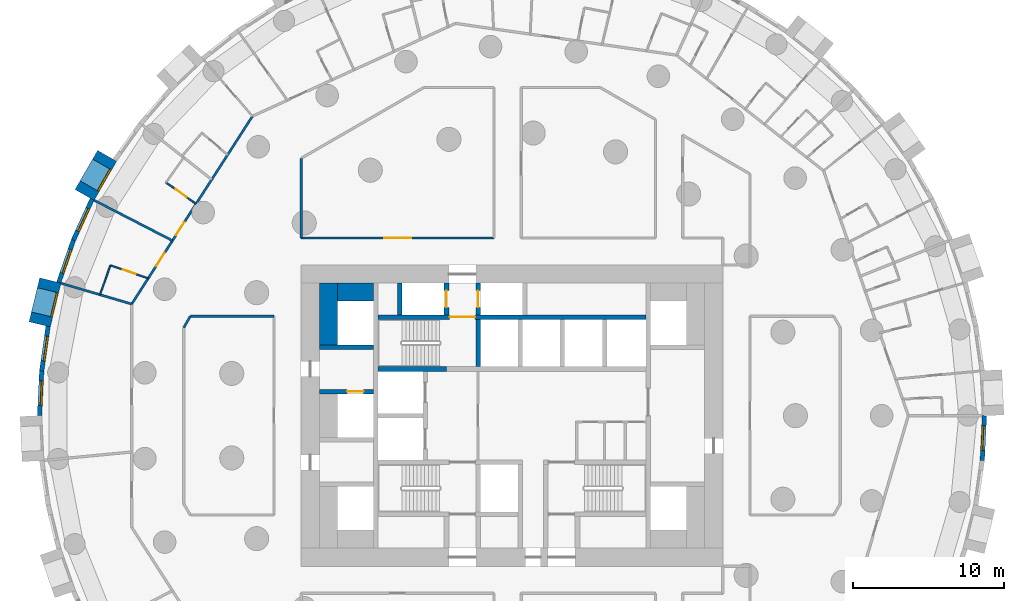
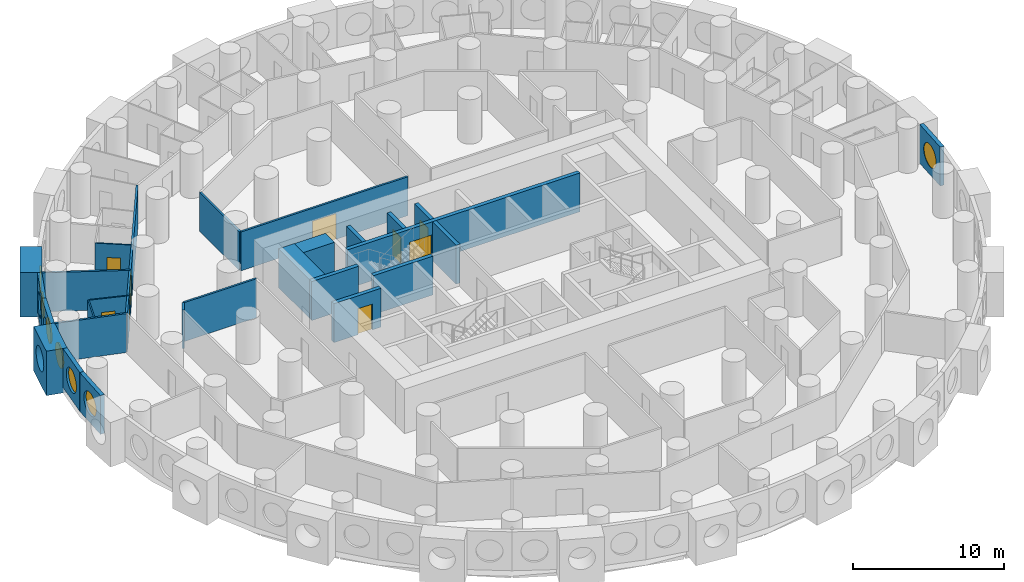
# One storey, part 6 of 12: 27 walls, 9 doors, 7 windows, 16 openings.
"""IFC4 building model written with IfcOpenShell, lengths in metres."""

from ifc_helpers import new_model, si_unit, direction, frame, frame_2d, origin, origin_2d, place, context, subcontext, project, spatial, rectangle, circle, extrude, material, layer, layer_set, type_object, element, fill, save


model = new_model("IFC4")

# Units and contexts
model_context = context("Model", 3, precision=1e-05, world=origin(), true_north=direction((0.0, 1.0)))
body_context = subcontext(model_context, "Body", "Model", "MODEL_VIEW")
ifc_project = project(units=[si_unit("LENGTHUNIT", "METRE"), si_unit("AREAUNIT", "SQUARE_METRE"), si_unit("VOLUMEUNIT", "CUBIC_METRE"), si_unit("PLANEANGLEUNIT", "RADIAN"), si_unit("MASSUNIT", "GRAM", prefix="KILO")], contexts=[model_context])

# Site, building, storey
site_placement = place(None, origin())
site = spatial("IfcSite", under=ifc_project, at=site_placement, CompositionType="ELEMENT")
building_placement = place(site_placement, origin())
building = spatial("IfcBuilding", under=site, at=building_placement, Name="Tracery Tower", CompositionType="ELEMENT")
storey_placement = place(building_placement, frame((0.0, 0.0, 39.0)))
storey = spatial("IfcBuildingStorey", under=building, at=storey_placement, Name="L08", CompositionType="ELEMENT", Elevation=39.0)

# Walls
ifc_material_1 = material(Name="Concrete C60/75", Category="concrete")
ifc_layer_1 = layer(ifc_material_1, 1.199951171875)
ifc_layer_set_1 = layer_set([ifc_layer_1], Name="Core strip wall 1200 C60")
wall_type_1 = type_object("IfcWallType", Name="Core strip wall 1200 C60", PredefinedType="SOLIDWALL", material=ifc_layer_set_1)
wall_1_placement = place(storey_placement, frame((-12.199951171875, 4.699951171875, 0.0), z_axis=(0.0, 0.0, 1.0), x_axis=(0.0, 1.0, 0.0)))
element("IfcWall", 1, at=wall_1_placement, inside=storey, type_object=wall_type_1, Name="L08 wing strip -1 4.55", PredefinedType="SOLIDWALL", context=body_context, shape_type="SweptSolid", body=[
    extrude(rectangle(XDim=4.10009765625, YDim=1.199951171875, at=frame_2d((2.050048828125, 0.0))), origin(), (0.0, 0.0, 1.0), 3.14990234375),
])
wall_2_placement = place(storey_placement, frame((-11.60009765625, 8.199951171875, 0.0), z_axis=(0.0, 0.0, 1.0), x_axis=(1.0, 0.0, 0.0)))
element("IfcWall", 2, at=wall_2_placement, inside=storey, type_object=wall_type_1, Name="L08 wing corner -1 +8.2", PredefinedType="SOLIDWALL", context=body_context, shape_type="SweptSolid", body=[
    extrude(rectangle(XDim=2.400146484375, YDim=1.199951171875, at=frame_2d((1.2001953125, 0.0))), origin(), (0.0, 0.0, 1.0), 3.14990234375),
])

# Wall, opening, window
ifc_material_2 = material(Name="Precast concrete C50/60", Category="concrete")
ifc_layer_2 = layer(ifc_material_2, 1.449951171875)
ifc_layer_set_2 = layer_set([ifc_layer_2], Name="Deep-set bay unit 3000 x 3600, slab edge 450")
wall_type_2 = type_object("IfcWallType", Name="Deep-set bay unit 3000 x 3600, slab edge 450", PredefinedType="ELEMENTEDWALL", material=ifc_layer_set_2)
wall_3_placement = place(storey_placement, frame((-26.88818359375, 17.256103515625, -0.449951171875), z_axis=(0.0, 0.0, 1.0), x_axis=(-0.499990139034, -0.866031096941, 0.0)))
wall_3 = element("IfcWall", 3, at=wall_3_placement, inside=storey, type_object=wall_type_2, Name="Deep-set bay unit 28 at L08", PredefinedType="ELEMENTEDWALL", context=body_context, shape_type="SweptSolid", body=[
    extrude(rectangle(XDim=3.0, YDim=1.449951171875, at=frame_2d((1.5, 0.0))), origin(), (0.0, 0.0, 1.0), 3.599853515625),
])
opening_1_placement = place(wall_3_placement, frame((1.5, 0.0, 2.0)))
opening_1 = element("IfcOpeningElement", 4, at=opening_1_placement, cuts=wall_3, Name="Opening WN1", PredefinedType="OPENING", context=body_context, shape_type="SweptSolid", body=[
    extrude(circle(Radius=0.9000244140625, at=origin_2d()), frame((0.0, 0.73486328125, 0.0), z_axis=(0.0, -1.0, 0.0), x_axis=(1.0, 0.0, 0.0)), (0.0, 0.0, 1.0), 1.469970703125),
])
ifc_material_3 = material(Name="Aluminium frame with tinted double glazing", Category="aluminium")
window_type = type_object("IfcWindowType", Name="Round window 1800", PartitioningType="SINGLE_PANEL", PredefinedType="WINDOW", material=ifc_material_3)
window_1_placement = place(opening_1_placement, origin())
window_1 = element("IfcWindow", 5, at=window_1_placement, inside=storey, type_object=window_type, Name="Round window 28 at L08", OverallHeight=1.800048828125, OverallWidth=1.800048828125, PartitioningType="SINGLE_PANEL", PredefinedType="WINDOW", context=body_context, shape_type="SweptSolid", body=[
    extrude(circle(Radius=0.9000244140625, at=origin_2d()), frame((0.0, 0.69482421875, 0.0), z_axis=(0.0, -1.0, 0.0), x_axis=(1.0, 0.0, 0.0)), (0.0, 0.0, 1.0), 0.10009765625),
])
fill(opening_1, window_1)

wall_4_placement = place(storey_placement, frame((-30.66064453125, 8.981689453125, -0.449951171875), z_axis=(0.0, 0.0, 1.0), x_axis=(-0.235751415068, -0.971813392732, 0.0)))
wall_4 = element("IfcWall", 6, at=wall_4_placement, inside=storey, type_object=wall_type_2, Name="Deep-set bay unit 31 at L08", PredefinedType="ELEMENTEDWALL", context=body_context, shape_type="SweptSolid", body=[
    extrude(rectangle(XDim=3.0, YDim=1.449951171875, at=frame_2d((1.5, 0.0))), origin(), (0.0, 0.0, 1.0), 3.599853515625),
])
opening_2_placement = place(wall_4_placement, frame((1.5, 0.0, 2.0)))
opening_2 = element("IfcOpeningElement", 7, at=opening_2_placement, cuts=wall_4, Name="Opening WN1", PredefinedType="OPENING", context=body_context, shape_type="SweptSolid", body=[
    extrude(circle(Radius=0.9000244140625, at=origin_2d()), frame((0.0, 0.73486328125, 0.0), z_axis=(0.0, -1.0, 0.0), x_axis=(1.0, 0.0, 0.0)), (0.0, 0.0, 1.0), 1.469970703125),
])
window_2_placement = place(opening_2_placement, origin())
window_2 = element("IfcWindow", 8, at=window_2_placement, inside=storey, type_object=window_type, Name="Round window 31 at L08", OverallHeight=1.800048828125, OverallWidth=1.800048828125, PartitioningType="SINGLE_PANEL", PredefinedType="WINDOW", context=body_context, shape_type="SweptSolid", body=[
    extrude(circle(Radius=0.9000244140625, at=origin_2d()), frame((0.0, 0.69482421875, 0.0), z_axis=(0.0, -1.0, 0.0), x_axis=(1.0, 0.0, 0.0)), (0.0, 0.0, 1.0), 0.10009765625),
])
fill(opening_2, window_2)

ifc_material_4 = material(Name="Precast concrete C50/60", Category="concrete")
ifc_layer_3 = layer(ifc_material_4, 0.300048828125)
ifc_layer_set_3 = layer_set([ifc_layer_3], Name="Facade panel 3000 x 3150")
wall_type_3 = type_object("IfcWallType", Name="Facade panel 3000 x 3150", PredefinedType="SOLIDWALL", material=ifc_layer_set_3)
wall_5_placement = place(storey_placement, frame((-27.88916015625, 14.37109375, 0.0), z_axis=(0.0, 0.0, 1.0), x_axis=(-0.415407317162, -0.909635509888, 0.0)))
wall_5 = element("IfcWall", 9, at=wall_5_placement, inside=storey, type_object=wall_type_3, Name="Facade panel 29 at L08", PredefinedType="SOLIDWALL", context=body_context, shape_type="SweptSolid", body=[
    extrude(rectangle(XDim=2.979736328125, YDim=0.300048828125, at=frame_2d((1.48974609375, 0.0))), origin(), (0.0, 0.0, 1.0), 3.14990234375),
])
opening_3_placement = place(wall_5_placement, frame((1.48974609375, 0.0, 1.5498046875)))
opening_3 = element("IfcOpeningElement", 10, at=opening_3_placement, cuts=wall_5, Name="Opening WN1", PredefinedType="OPENING", context=body_context, shape_type="SweptSolid", body=[
    extrude(circle(Radius=0.9000244140625, at=origin_2d()), frame((0.0, 0.159912109375, 0.0), z_axis=(0.0, -1.0, 0.0), x_axis=(1.0, 0.0, 0.0)), (0.0, 0.0, 1.0), 0.320068359375),
])
window_3_placement = place(opening_3_placement, origin())
window_3 = element("IfcWindow", 11, at=window_3_placement, inside=storey, type_object=window_type, Name="Round window 29 at L08", OverallHeight=1.800048828125, OverallWidth=1.800048828125, PartitioningType="SINGLE_PANEL", PredefinedType="WINDOW", context=body_context, shape_type="SweptSolid", body=[
    extrude(circle(Radius=0.9000244140625, at=origin_2d()), frame((0.0, 0.1201171875, 0.0), z_axis=(0.0, -1.0, 0.0), x_axis=(1.0, 0.0, 0.0)), (0.0, 0.0, 1.0), 0.10009765625),
])
fill(opening_3, window_3)

wall_6_placement = place(storey_placement, frame((-29.126953125, 11.66064453125, 0.0), z_axis=(0.0, 0.0, 1.0), x_axis=(-0.327096492592, -0.944990944154, 0.0)))
wall_6 = element("IfcWall", 12, at=wall_6_placement, inside=storey, type_object=wall_type_3, Name="Facade panel 30 at L08", PredefinedType="SOLIDWALL", context=body_context, shape_type="SweptSolid", body=[
    extrude(rectangle(XDim=2.9794921875, YDim=0.300048828125, at=frame_2d((1.48974609375, 0.0))), origin(), (0.0, 0.0, 1.0), 3.14990234375),
])
opening_4_placement = place(wall_6_placement, frame((1.48974609375, 0.0, 1.5498046875)))
opening_4 = element("IfcOpeningElement", 13, at=opening_4_placement, cuts=wall_6, Name="Opening WN1", PredefinedType="OPENING", context=body_context, shape_type="SweptSolid", body=[
    extrude(circle(Radius=0.9000244140625, at=origin_2d()), frame((0.0, 0.159912109375, 0.0), z_axis=(0.0, -1.0, 0.0), x_axis=(1.0, 0.0, 0.0)), (0.0, 0.0, 1.0), 0.320068359375),
])
window_4_placement = place(opening_4_placement, origin())
window_4 = element("IfcWindow", 14, at=window_4_placement, inside=storey, type_object=window_type, Name="Round window 30 at L08", OverallHeight=1.800048828125, OverallWidth=1.800048828125, PartitioningType="SINGLE_PANEL", PredefinedType="WINDOW", context=body_context, shape_type="SweptSolid", body=[
    extrude(circle(Radius=0.9000244140625, at=origin_2d()), frame((0.0, 0.1201171875, 0.0), z_axis=(0.0, -1.0, 0.0), x_axis=(1.0, 0.0, 0.0)), (0.0, 0.0, 1.0), 0.10009765625),
])
fill(opening_4, window_4)

wall_7_placement = place(storey_placement, frame((-30.808349609375, 5.931640625, 0.0), z_axis=(0.0, 0.0, 1.0), x_axis=(-0.142327539111, -0.989819615693, 0.0)))
wall_7 = element("IfcWall", 15, at=wall_7_placement, inside=storey, type_object=wall_type_3, Name="Facade panel 32 at L08", PredefinedType="SOLIDWALL", context=body_context, shape_type="SweptSolid", body=[
    extrude(rectangle(XDim=2.9794921875, YDim=0.300048828125, at=frame_2d((1.48974609375, 0.0))), origin(), (0.0, 0.0, 1.0), 3.14990234375),
])
opening_5_placement = place(wall_7_placement, frame((1.48974609375, 0.0, 1.5498046875)))
opening_5 = element("IfcOpeningElement", 16, at=opening_5_placement, cuts=wall_7, Name="Opening WN1", PredefinedType="OPENING", context=body_context, shape_type="SweptSolid", body=[
    extrude(circle(Radius=0.9000244140625, at=origin_2d()), frame((0.0, 0.159912109375, 0.0), z_axis=(0.0, -1.0, 0.0), x_axis=(1.0, 0.0, 0.0)), (0.0, 0.0, 1.0), 0.320068359375),
])
window_5_placement = place(opening_5_placement, origin())
window_5 = element("IfcWindow", 17, at=window_5_placement, inside=storey, type_object=window_type, Name="Round window 32 at L08", OverallHeight=1.800048828125, OverallWidth=1.800048828125, PartitioningType="SINGLE_PANEL", PredefinedType="WINDOW", context=body_context, shape_type="SweptSolid", body=[
    extrude(circle(Radius=0.9000244140625, at=origin_2d()), frame((0.0, 0.1201171875, 0.0), z_axis=(0.0, -1.0, 0.0), x_axis=(1.0, 0.0, 0.0)), (0.0, 0.0, 1.0), 0.10009765625),
])
fill(opening_5, window_5)

wall_8_placement = place(storey_placement, frame((-31.232421875, 2.982421875, 0.0), z_axis=(0.0, 0.0, 1.0), x_axis=(-0.047522328113, -0.998870175914, 0.0)))
wall_8 = element("IfcWall", 18, at=wall_8_placement, inside=storey, type_object=wall_type_3, Name="Facade panel 33 at L08", PredefinedType="SOLIDWALL", context=body_context, shape_type="SweptSolid", body=[
    extrude(rectangle(XDim=2.979736328125, YDim=0.300048828125, at=frame_2d((1.48974609375, 0.0))), origin(), (0.0, 0.0, 1.0), 3.14990234375),
])
opening_6_placement = place(wall_8_placement, frame((1.48974609375, 0.0, 1.5498046875)))
opening_6 = element("IfcOpeningElement", 19, at=opening_6_placement, cuts=wall_8, Name="Opening WN1", PredefinedType="OPENING", context=body_context, shape_type="SweptSolid", body=[
    extrude(circle(Radius=0.9000244140625, at=origin_2d()), frame((0.0, 0.159912109375, 0.0), z_axis=(0.0, -1.0, 0.0), x_axis=(1.0, 0.0, 0.0)), (0.0, 0.0, 1.0), 0.320068359375),
])
window_6_placement = place(opening_6_placement, origin())
window_6 = element("IfcWindow", 20, at=window_6_placement, inside=storey, type_object=window_type, Name="Round window 33 at L08", OverallHeight=1.800048828125, OverallWidth=1.800048828125, PartitioningType="SINGLE_PANEL", PredefinedType="WINDOW", context=body_context, shape_type="SweptSolid", body=[
    extrude(circle(Radius=0.9000244140625, at=origin_2d()), frame((0.0, 0.1201171875, 0.0), z_axis=(0.0, -1.0, 0.0), x_axis=(1.0, 0.0, 0.0)), (0.0, 0.0, 1.0), 0.10009765625),
])
fill(opening_6, window_6)

wall_9_placement = place(storey_placement, frame((31.232421875, -2.982421875, 0.0), z_axis=(0.0, 0.0, 1.0), x_axis=(0.047522328113, 0.998870175914, 0.0)))
wall_9 = element("IfcWall", 21, at=wall_9_placement, inside=storey, type_object=wall_type_3, Name="Facade panel 66 at L08", PredefinedType="SOLIDWALL", context=body_context, shape_type="SweptSolid", body=[
    extrude(rectangle(XDim=2.979736328125, YDim=0.300048828125, at=frame_2d((1.48974609375, 0.0))), origin(), (0.0, 0.0, 1.0), 3.14990234375),
])
opening_7_placement = place(wall_9_placement, frame((1.48974609375, 0.0, 1.5498046875)))
opening_7 = element("IfcOpeningElement", 22, at=opening_7_placement, cuts=wall_9, Name="Opening WN1", PredefinedType="OPENING", context=body_context, shape_type="SweptSolid", body=[
    extrude(circle(Radius=0.9000244140625, at=origin_2d()), frame((0.0, 0.159912109375, 0.0), z_axis=(0.0, -1.0, 0.0), x_axis=(1.0, 0.0, 0.0)), (0.0, 0.0, 1.0), 0.320068359375),
])
window_7_placement = place(opening_7_placement, origin())
window_7 = element("IfcWindow", 23, at=window_7_placement, inside=storey, type_object=window_type, Name="Round window 66 at L08", OverallHeight=1.800048828125, OverallWidth=1.800048828125, PartitioningType="SINGLE_PANEL", PredefinedType="WINDOW", context=body_context, shape_type="SweptSolid", body=[
    extrude(circle(Radius=0.9000244140625, at=origin_2d()), frame((0.0, 0.1201171875, 0.0), z_axis=(0.0, -1.0, 0.0), x_axis=(1.0, 0.0, 0.0)), (0.0, 0.0, 1.0), 0.10009765625),
])
fill(opening_7, window_7)

# Wall, opening, door
ifc_material_5 = material(Name="Plasterboard on steel studs", Category="steel")
ifc_layer_4 = layer(ifc_material_5, 0.10009765625)
ifc_layer_set_4 = layer_set([ifc_layer_4], Name="Partition 100 wet wall")
wall_type_4 = type_object("IfcWallType", Name="Partition 100 wet wall", PredefinedType="PARTITIONING", material=ifc_layer_set_4)
wall_10_placement = place(storey_placement, frame((-22.97802734375, 15.486083984375, 0.0), z_axis=(0.0, 0.0, 1.0), x_axis=(0.814519517834, -0.580136152181, 0.0)))
wall_10 = element("IfcWall", 24, at=wall_10_placement, inside=storey, type_object=wall_type_4, Name="Wet wall RA2-113", PredefinedType="PARTITIONING", context=body_context, shape_type="SweptSolid", body=[
    extrude(rectangle(XDim=2.453125, YDim=0.10009765625, at=frame_2d((1.2265625, 0.0))), origin(), (0.0, 0.0, 1.0), 3.14990234375),
])
opening_8_placement = place(wall_10_placement, frame((0.77587890625, 0.0, 0.0)))
opening_8 = element("IfcOpeningElement", 25, at=opening_8_placement, cuts=wall_10, Name="Opening RA2-41", PredefinedType="OPENING", context=body_context, shape_type="SweptSolid", body=[
    extrude(rectangle(XDim=0.89990234375, YDim=2.0400390625, at=frame_2d((0.449951171875, 1.02001953125))), frame((0.0, 0.050048828125, 0.0), z_axis=(0.0, -1.0, 0.0), x_axis=(1.0, 0.0, 0.0)), (0.0, 0.0, 1.0), 0.10009765625),
])
ifc_material_6 = material(Name="Timber door leaf", Category="wood")
door_type_1 = type_object("IfcDoorType", Name="Door en-suite 900", OperationType="NOTDEFINED", PredefinedType="DOOR", material=ifc_material_6)
door_1_placement = place(opening_8_placement, origin())
door_1 = element("IfcDoor", 26, at=door_1_placement, inside=storey, type_object=door_type_1, Name="En-suite door RA2-41", OperationType="SINGLE_SWING_LEFT", OverallHeight=2.0400390625, OverallWidth=0.89990234375, PredefinedType="DOOR", context=body_context, shape_type="SweptSolid", body=[
    extrude(rectangle(XDim=0.89990234375, YDim=2.0400390625, at=frame_2d((0.449951171875, 1.02001953125))), frame((0.0, 0.02490234375, 0.0), z_axis=(0.0, -1.0, 0.0), x_axis=(1.0, 0.0, 0.0)), (0.0, 0.0, 1.0), 0.050048828125),
])
fill(opening_8, door_1)

wall_11_placement = place(storey_placement, frame((-26.678955078125, 9.989013671875, 0.0), z_axis=(0.0, 0.0, 1.0), x_axis=(0.945014370431, -0.327028805578, 0.0)))
wall_11 = element("IfcWall", 27, at=wall_11_placement, inside=storey, type_object=wall_type_4, Name="Wet wall RA2-115", PredefinedType="PARTITIONING", context=body_context, shape_type="SweptSolid", body=[
    extrude(rectangle(XDim=2.666748046875, YDim=0.10009765625, at=frame_2d((1.33349609375, 0.0))), origin(), (0.0, 0.0, 1.0), 3.14990234375),
])
opening_9_placement = place(wall_11_placement, frame((0.883544921875, 0.0, 0.0)))
opening_9 = element("IfcOpeningElement", 28, at=opening_9_placement, cuts=wall_11, Name="Opening RA2-43", PredefinedType="OPENING", context=body_context, shape_type="SweptSolid", body=[
    extrude(rectangle(XDim=0.89990234375, YDim=2.0400390625, at=frame_2d((0.449951171875, 1.02001953125))), frame((0.0, 0.050048828125, 0.0), z_axis=(0.0, -1.0, 0.0), x_axis=(1.0, 0.0, 0.0)), (0.0, 0.0, 1.0), 0.10009765625),
])
door_2_placement = place(opening_9_placement, origin())
door_2 = element("IfcDoor", 29, at=door_2_placement, inside=storey, type_object=door_type_1, Name="En-suite door RA2-43", OperationType="SINGLE_SWING_LEFT", OverallHeight=2.0400390625, OverallWidth=0.89990234375, PredefinedType="DOOR", context=body_context, shape_type="SweptSolid", body=[
    extrude(rectangle(XDim=0.89990234375, YDim=2.0400390625, at=frame_2d((0.449951171875, 1.02001953125))), frame((0.0, 0.02490234375, 0.0), z_axis=(0.0, -1.0, 0.0), x_axis=(1.0, 0.0, 0.0)), (0.0, 0.0, 1.0), 0.050048828125),
])
fill(opening_9, door_2)

# Walls
wall_12_placement = place(storey_placement, frame((-27.35595703125, 8.031982421875, 0.0), z_axis=(0.0, 0.0, 1.0), x_axis=(0.326924291943, 0.945050531632, 0.0)))
element("IfcWall", 30, at=wall_12_placement, inside=storey, type_object=wall_type_4, Name="Wet wall RA2-116", PredefinedType="PARTITIONING", context=body_context, shape_type="SweptSolid", body=[
    extrude(rectangle(XDim=2.07080078125, YDim=0.10009765625, at=frame_2d((1.035400390625, 0.0))), origin(), (0.0, 0.0, 1.0), 3.14990234375),
])
ifc_material_7 = material(Name="Plasterboard on steel studs", Category="steel")
ifc_layer_5 = layer(ifc_material_7, 0.14990234375)
ifc_layer_set_5 = layer_set([ifc_layer_5], Name="Partition 150 acoustic unit wall")
wall_type_5 = type_object("IfcWallType", Name="Partition 150 acoustic unit wall", PredefinedType="PARTITIONING", material=ifc_layer_set_5)
wall_13_placement = place(storey_placement, frame((-27.7529296875, 14.30810546875, 0.0), z_axis=(0.0, 0.0, 1.0), x_axis=(0.88877955153, -0.45833493079, 0.0)))
element("IfcWall", 31, at=wall_13_placement, inside=storey, type_object=wall_type_5, Name="Unit wall RA2-114", PredefinedType="PARTITIONING", context=body_context, shape_type="SweptSolid", body=[
    extrude(rectangle(XDim=5.856201171875, YDim=0.14990234375, at=frame_2d((2.92822265625, 0.0))), origin(), (0.0, 0.0, 1.0), 3.14990234375),
])
wall_14_placement = place(storey_placement, frame((-29.958984375, 8.797119140625, 0.0), z_axis=(0.0, 0.0, 1.0), x_axis=(0.95941700717, -0.281991145876, 0.0)))
element("IfcWall", 32, at=wall_14_placement, inside=storey, type_object=wall_type_5, Name="Unit wall RA2-117", PredefinedType="PARTITIONING", context=body_context, shape_type="SweptSolid", body=[
    extrude(rectangle(XDim=4.904541015625, YDim=0.14990234375, at=frame_2d((2.4521484375, 0.0))), origin(), (0.0, 0.0, 1.0), 3.14990234375),
])

# Wall, opening, door
ifc_material_8 = material(Name="Plasterboard on steel studs", Category="steel")
ifc_layer_6 = layer(ifc_material_8, 0.14990234375)
ifc_layer_set_6 = layer_set([ifc_layer_6], Name="Partition 150 corridor wall")
wall_type_6 = type_object("IfcWallType", Name="Partition 150 corridor wall", PredefinedType="PARTITIONING", material=ifc_layer_set_6)
wall_15_placement = place(storey_placement, frame((-14.00390625, 11.800048828125, 0.0), z_axis=(0.0, 0.0, 1.0), x_axis=(1.0, 0.0, 0.0)))
wall_15 = element("IfcWall", 33, at=wall_15_placement, inside=storey, type_object=wall_type_6, Name="Corridor wall RA2-001", PredefinedType="PARTITIONING", context=body_context, shape_type="SweptSolid", body=[
    extrude(rectangle(XDim=12.81591796875, YDim=0.14990234375, at=frame_2d((6.407958984375, 0.0))), origin(), (0.0, 0.0, 1.0), 3.14990234375),
])
opening_10_placement = place(wall_15_placement, frame((5.508056640625, 0.0, 0.0)))
opening_10 = element("IfcOpeningElement", 34, at=opening_10_placement, cuts=wall_15, Name="Opening RA2-01", PredefinedType="OPENING", context=body_context, shape_type="SweptSolid", body=[
    extrude(rectangle(XDim=1.800048828125, YDim=2.10009765625, at=frame_2d((0.89990234375, 1.050048828125))), frame((0.0, 0.074951171875, 0.0), z_axis=(0.0, -1.0, 0.0), x_axis=(1.0, 0.0, 0.0)), (0.0, 0.0, 1.0), 0.14990234375),
])
ifc_material_9 = material(Name="Timber door leaf", Category="wood")
door_type_2 = type_object("IfcDoorType", Name="Door double lounge 1800", OperationType="NOTDEFINED", PredefinedType="DOOR", material=ifc_material_9)
door_3_placement = place(opening_10_placement, origin())
door_3 = element("IfcDoor", 35, at=door_3_placement, inside=storey, type_object=door_type_2, Name="Double lounge door RA2-01", OperationType="DOUBLE_DOOR_SINGLE_SWING", OverallHeight=2.10009765625, OverallWidth=1.800048828125, PredefinedType="DOOR", context=body_context, shape_type="SweptSolid", body=[
    extrude(rectangle(XDim=1.800048828125, YDim=2.10009765625, at=frame_2d((0.89990234375, 1.050048828125))), frame((0.0, 0.02490234375, 0.0), z_axis=(0.0, -1.0, 0.0), x_axis=(1.0, 0.0, 0.0)), (0.0, 0.0, 1.0), 0.050048828125),
])
fill(opening_10, door_3)

# Wall
wall_16_placement = place(storey_placement, frame((-14.0, 11.800048828125, 0.0), z_axis=(0.0, 0.0, 1.0), x_axis=(0.0, 1.0, 0.0)))
element("IfcWall", 36, at=wall_16_placement, inside=storey, type_object=wall_type_6, Name="Corridor wall RA2-027", PredefinedType="PARTITIONING", context=body_context, shape_type="SweptSolid", body=[
    extrude(rectangle(XDim=5.2919921875, YDim=0.14990234375, at=frame_2d((2.64599609375, 0.0))), origin(), (0.0, 0.0, 1.0), 3.14990234375),
])

# Wall, openings, doors
wall_17_placement = place(storey_placement, frame((-25.2548828125, 7.416259765625, 0.0), z_axis=(0.0, 0.0, 1.0), x_axis=(0.540805851332, 0.841147449123, 0.0)))
wall_17 = element("IfcWall", 37, at=wall_17_placement, inside=storey, type_object=wall_type_6, Name="Corridor wall RA2-037", PredefinedType="PARTITIONING", context=body_context, shape_type="SweptSolid", body=[
    extrude(rectangle(XDim=14.829345703125, YDim=0.14990234375, at=frame_2d((7.41455078125, 0.0))), origin(), (0.0, 0.0, 1.0), 3.14990234375),
])
opening_11_placement = place(wall_17_placement, frame((5.452880859375, 0.0, 0.0)))
opening_11 = element("IfcOpeningElement", 38, at=opening_11_placement, cuts=wall_17, Name="Opening RA2-42", PredefinedType="OPENING", context=body_context, shape_type="SweptSolid", body=[
    extrude(rectangle(XDim=1.0, YDim=2.10009765625, at=frame_2d((0.5, 1.050048828125))), frame((0.0, 0.074951171875, 0.0), z_axis=(0.0, -1.0, 0.0), x_axis=(1.0, 0.0, 0.0)), (0.0, 0.0, 1.0), 0.14990234375),
])
opening_12_placement = place(wall_17_placement, frame((3.0126953125, 0.0, 0.0)))
opening_12 = element("IfcOpeningElement", 39, at=opening_12_placement, cuts=wall_17, Name="Opening RA2-44", PredefinedType="OPENING", context=body_context, shape_type="SweptSolid", body=[
    extrude(rectangle(XDim=1.0, YDim=2.10009765625, at=frame_2d((0.5, 1.050048828125))), frame((0.0, 0.074951171875, 0.0), z_axis=(0.0, -1.0, 0.0), x_axis=(1.0, 0.0, 0.0)), (0.0, 0.0, 1.0), 0.14990234375),
])
ifc_material_10 = material(Name="Timber door leaf", Category="wood")
door_type_3 = type_object("IfcDoorType", Name="Door unit entrance 1000", OperationType="NOTDEFINED", PredefinedType="DOOR", material=ifc_material_10)
door_4_placement = place(opening_11_placement, origin())
door_4 = element("IfcDoor", 40, at=door_4_placement, inside=storey, type_object=door_type_3, Name="Unit entrance door RA2-42", OperationType="SINGLE_SWING_LEFT", OverallHeight=2.10009765625, OverallWidth=1.0, PredefinedType="DOOR", context=body_context, shape_type="SweptSolid", body=[
    extrude(rectangle(XDim=1.0, YDim=2.10009765625, at=frame_2d((0.5, 1.050048828125))), frame((0.0, 0.02490234375, 0.0), z_axis=(0.0, -1.0, 0.0), x_axis=(1.0, 0.0, 0.0)), (0.0, 0.0, 1.0), 0.050048828125),
])
fill(opening_11, door_4)
door_5_placement = place(opening_12_placement, origin())
door_5 = element("IfcDoor", 41, at=door_5_placement, inside=storey, type_object=door_type_3, Name="Unit entrance door RA2-44", OperationType="SINGLE_SWING_LEFT", OverallHeight=2.10009765625, OverallWidth=1.0, PredefinedType="DOOR", context=body_context, shape_type="SweptSolid", body=[
    extrude(rectangle(XDim=1.0, YDim=2.10009765625, at=frame_2d((0.5, 1.050048828125))), frame((0.0, 0.02490234375, 0.0), z_axis=(0.0, -1.0, 0.0), x_axis=(1.0, 0.0, 0.0)), (0.0, 0.0, 1.0), 0.050048828125),
])
fill(opening_12, door_5)

# Walls
wall_18_placement = place(storey_placement, frame((-21.364013671875, 6.60009765625, 0.0), z_axis=(0.0, 0.0, 1.0), x_axis=(1.0, 0.0, 0.0)))
element("IfcWall", 42, at=wall_18_placement, inside=storey, type_object=wall_type_6, Name="Corridor wall RA2-039", PredefinedType="PARTITIONING", context=body_context, shape_type="SweptSolid", body=[
    extrude(rectangle(XDim=5.56396484375, YDim=0.14990234375, at=frame_2d((2.781982421875, 0.0))), origin(), (0.0, 0.0, 1.0), 3.14990234375),
])
wall_19_placement = place(storey_placement, frame((-21.802001953125, 5.842041015625, 0.0), z_axis=(0.0, 0.0, 1.0), x_axis=(0.500277597875, 0.865865073245, 0.0)))
element("IfcWall", 43, at=wall_19_placement, inside=storey, type_object=wall_type_6, Name="Corridor wall RA2-040", PredefinedType="PARTITIONING", context=body_context, shape_type="SweptSolid", body=[
    extrude(rectangle(XDim=0.87548828125, YDim=0.14990234375, at=frame_2d((0.437744140625, 0.0))), origin(), (0.0, 0.0, 1.0), 3.14990234375),
])
ifc_material_11 = material(Name="Concrete C60/75", Category="concrete")
ifc_layer_7 = layer(ifc_material_11, 0.300048828125)
ifc_layer_set_7 = layer_set([ifc_layer_7], Name="Shaft wall 300 C60")
wall_type_7 = type_object("IfcWallType", Name="Shaft wall 300 C60", PredefinedType="SOLIDWALL", material=ifc_layer_set_7)
wall_20_placement = place(storey_placement, frame((-7.449951171875, 6.699951171875, 0.0), z_axis=(0.0, 0.0, 1.0), x_axis=(0.0, 1.0, 0.0)))
element("IfcWall", 44, at=wall_20_placement, inside=storey, type_object=wall_type_7, Name="L08 LR sep -7.45", PredefinedType="SOLIDWALL", context=body_context, shape_type="SweptSolid", body=[
    extrude(rectangle(XDim=2.10009765625, YDim=0.300048828125, at=frame_2d((1.050048828125, 0.0))), origin(), (0.0, 0.0, 1.0), 3.14990234375),
])

# Wall, opening, door
wall_21_placement = place(storey_placement, frame((-4.35009765625, 6.699951171875, 0.0), z_axis=(0.0, 0.0, 1.0), x_axis=(0.0, 1.0, 0.0)))
wall_21 = element("IfcWall", 45, at=wall_21_placement, inside=storey, type_object=wall_type_7, Name="L08 LR sep -4.35", PredefinedType="SOLIDWALL", context=body_context, shape_type="SweptSolid", body=[
    extrude(rectangle(XDim=2.10009765625, YDim=0.300048828125, at=frame_2d((1.050048828125, 0.0))), origin(), (0.0, 0.0, 1.0), 3.14990234375),
])
opening_13_placement = place(wall_21_placement, frame((0.5, 0.0, 0.0)))
opening_13 = element("IfcOpeningElement", 46, at=opening_13_placement, cuts=wall_21, Name="Opening KD50", PredefinedType="OPENING", context=body_context, shape_type="SweptSolid", body=[
    extrude(rectangle(XDim=1.10009765625, YDim=2.10009765625, at=frame_2d((0.550048828125, 1.050048828125))), frame((0.0, 0.14990234375, 0.0), z_axis=(0.0, -1.0, 0.0), x_axis=(1.0, 0.0, 0.0)), (0.0, 0.0, 1.0), 0.300048828125),
])
ifc_material_12 = material(Name="Steel fire door", Category="steel")
door_type_4 = type_object("IfcDoorType", Name="Landing door 1100", OperationType="NOTDEFINED", PredefinedType="DOOR", material=ifc_material_12)
door_6_placement = place(opening_13_placement, origin())
door_6 = element("IfcDoor", 47, at=door_6_placement, inside=storey, type_object=door_type_4, Name="Landing door LR3", OperationType="SLIDING_TO_RIGHT", OverallHeight=2.10009765625, OverallWidth=1.10009765625, PredefinedType="DOOR", context=body_context, shape_type="SweptSolid", body=[
    extrude(rectangle(XDim=1.10009765625, YDim=2.10009765625, at=frame_2d((0.550048828125, 1.050048828125))), frame((0.0, 0.02490234375, 0.0), z_axis=(0.0, -1.0, 0.0), x_axis=(1.0, 0.0, 0.0)), (0.0, 0.0, 1.0), 0.050048828125),
])
fill(opening_13, door_6)

# Wall
wall_22_placement = place(storey_placement, frame((-12.800048828125, 4.550048828125, 0.0), z_axis=(0.0, 0.0, 1.0), x_axis=(1.0, 0.0, 0.0)))
element("IfcWall", 48, at=wall_22_placement, inside=storey, type_object=wall_type_7, Name="L08 wing shaft wall -1 +4.55", PredefinedType="SOLIDWALL", context=body_context, shape_type="SweptSolid", body=[
    extrude(rectangle(XDim=3.60009765625, YDim=0.300048828125, at=frame_2d((1.800048828125, 0.0))), origin(), (0.0, 0.0, 1.0), 3.14990234375),
])

# Wall, opening, door
wall_23_placement = place(storey_placement, frame((-12.800048828125, 1.60009765625, 0.0), z_axis=(0.0, 0.0, 1.0), x_axis=(1.0, 0.0, 0.0)))
wall_23 = element("IfcWall", 49, at=wall_23_placement, inside=storey, type_object=wall_type_7, Name="L08 wing shaft wall -1 +1.60", PredefinedType="SOLIDWALL", context=body_context, shape_type="SweptSolid", body=[
    extrude(rectangle(XDim=3.60009765625, YDim=0.300048828125, at=frame_2d((1.800048828125, 0.0))), origin(), (0.0, 0.0, 1.0), 3.14990234375),
])
opening_14_placement = place(wall_23_placement, frame((1.85009765625, 0.0, 0.0)))
opening_14 = element("IfcOpeningElement", 50, at=opening_14_placement, cuts=wall_23, Name="Opening KD50", PredefinedType="OPENING", context=body_context, shape_type="SweptSolid", body=[
    extrude(rectangle(XDim=1.10009765625, YDim=2.10009765625, at=frame_2d((0.550048828125, 1.050048828125))), frame((0.0, 0.14990234375, 0.0), z_axis=(0.0, -1.0, 0.0), x_axis=(1.0, 0.0, 0.0)), (0.0, 0.0, 1.0), 0.300048828125),
])
door_7_placement = place(opening_14_placement, origin())
door_7 = element("IfcDoor", 51, at=door_7_placement, inside=storey, type_object=door_type_4, Name="Landing door LR1", OperationType="SLIDING_TO_RIGHT", OverallHeight=2.10009765625, OverallWidth=1.10009765625, PredefinedType="DOOR", context=body_context, shape_type="SweptSolid", body=[
    extrude(rectangle(XDim=1.10009765625, YDim=2.10009765625, at=frame_2d((0.550048828125, 1.050048828125))), frame((0.0, 0.02490234375, 0.0), z_axis=(0.0, -1.0, 0.0), x_axis=(1.0, 0.0, 0.0)), (0.0, 0.0, 1.0), 0.050048828125),
])
fill(opening_14, door_7)

# Walls
ifc_material_13 = material(Name="Concrete C60/75", Category="concrete")
ifc_layer_8 = layer(ifc_material_13, 0.300048828125)
ifc_layer_set_8 = layer_set([ifc_layer_8], Name="Stair wall 300 C60")
wall_type_8 = type_object("IfcWallType", Name="Stair wall 300 C60", PredefinedType="SOLIDWALL", material=ifc_layer_set_8)
wall_24_placement = place(storey_placement, frame((-8.89990234375, 3.10009765625, 0.0), z_axis=(0.0, 0.0, 1.0), x_axis=(1.0, 0.0, 0.0)))
element("IfcWall", 52, at=wall_24_placement, inside=storey, type_object=wall_type_8, Name="L08 row N W", PredefinedType="SOLIDWALL", context=body_context, shape_type="SweptSolid", body=[
    extrude(rectangle(XDim=4.5498046875, YDim=0.300048828125, at=frame_2d((2.27490234375, 0.0))), origin(), (0.0, 0.0, 1.0), 3.14990234375),
])
wall_25_placement = place(storey_placement, frame((-2.25, 3.25, 0.0), z_axis=(0.0, 0.0, 1.0), x_axis=(0.0, 1.0, 0.0)))
element("IfcWall", 53, at=wall_25_placement, inside=storey, type_object=wall_type_8, Name="L08 ST3 E", PredefinedType="SOLIDWALL", context=body_context, shape_type="SweptSolid", body=[
    extrude(rectangle(XDim=3.14990234375, YDim=0.300048828125, at=frame_2d((1.574951171875, 0.0))), origin(), (0.0, 0.0, 1.0), 3.14990234375),
])

# Wall, opening, door
wall_26_placement = place(storey_placement, frame((-8.89990234375, 6.550048828125, 0.0), z_axis=(0.0, 0.0, 1.0), x_axis=(1.0, 0.0, 0.0)))
wall_26 = element("IfcWall", 54, at=wall_26_placement, inside=storey, type_object=wall_type_8, Name="L08 F N", PredefinedType="SOLIDWALL", context=body_context, shape_type="SweptSolid", body=[
    extrude(rectangle(XDim=17.7998046875, YDim=0.300048828125, at=frame_2d((8.89990234375, 0.0))), origin(), (0.0, 0.0, 1.0), 3.14990234375),
])
opening_15_placement = place(wall_26_placement, frame((4.75, 0.0, 0.0)))
opening_15 = element("IfcOpeningElement", 55, at=opening_15_placement, cuts=wall_26, Name="Opening KD3", PredefinedType="OPENING", context=body_context, shape_type="SweptSolid", body=[
    extrude(rectangle(XDim=1.699951171875, YDim=2.10009765625, at=frame_2d((0.85009765625, 1.050048828125))), frame((0.0, 0.14990234375, 0.0), z_axis=(0.0, -1.0, 0.0), x_axis=(1.0, 0.0, 0.0)), (0.0, 0.0, 1.0), 0.300048828125),
])
ifc_material_14 = material(Name="Steel fire door", Category="steel")
door_type_5 = type_object("IfcDoorType", Name="Core stair door 1700 double", OperationType="NOTDEFINED", PredefinedType="DOOR", material=ifc_material_14)
door_8_placement = place(opening_15_placement, origin())
door_8 = element("IfcDoor", 56, at=door_8_placement, inside=storey, type_object=door_type_5, Name="Stair door ST3 N", OperationType="DOUBLE_DOOR_SINGLE_SWING", OverallHeight=2.10009765625, OverallWidth=1.699951171875, PredefinedType="DOOR", context=body_context, shape_type="SweptSolid", body=[
    extrude(rectangle(XDim=1.699951171875, YDim=2.10009765625, at=frame_2d((0.85009765625, 1.050048828125))), frame((0.0, 0.02490234375, 0.0), z_axis=(0.0, -1.0, 0.0), x_axis=(1.0, 0.0, 0.0)), (0.0, 0.0, 1.0), 0.050048828125),
])
fill(opening_15, door_8)

wall_27_placement = place(storey_placement, frame((-2.25, 6.699951171875, 0.0), z_axis=(0.0, 0.0, 1.0), x_axis=(0.0, 1.0, 0.0)))
wall_27 = element("IfcWall", 57, at=wall_27_placement, inside=storey, type_object=wall_type_8, Name="L08 ST3 E out", PredefinedType="SOLIDWALL", context=body_context, shape_type="SweptSolid", body=[
    extrude(rectangle(XDim=2.10009765625, YDim=0.300048828125, at=frame_2d((1.050048828125, 0.0))), origin(), (0.0, 0.0, 1.0), 3.14990234375),
])
opening_16_placement = place(wall_27_placement, frame((0.5, 0.0, 0.0)))
opening_16 = element("IfcOpeningElement", 58, at=opening_16_placement, cuts=wall_27, Name="Opening KD49", PredefinedType="OPENING", context=body_context, shape_type="SweptSolid", body=[
    extrude(rectangle(XDim=1.10009765625, YDim=2.10009765625, at=frame_2d((0.550048828125, 1.050048828125))), frame((0.0, 0.14990234375, 0.0), z_axis=(0.0, -1.0, 0.0), x_axis=(1.0, 0.0, 0.0)), (0.0, 0.0, 1.0), 0.300048828125),
])
door_9_placement = place(opening_16_placement, origin())
door_9 = element("IfcDoor", 59, at=door_9_placement, inside=storey, type_object=door_type_4, Name="Landing door LR2", OperationType="SLIDING_TO_LEFT", OverallHeight=2.10009765625, OverallWidth=1.10009765625, PredefinedType="DOOR", context=body_context, shape_type="SweptSolid", body=[
    extrude(rectangle(XDim=1.10009765625, YDim=2.10009765625, at=frame_2d((0.550048828125, 1.050048828125))), frame((0.0, 0.02490234375, 0.0), z_axis=(0.0, -1.0, 0.0), x_axis=(1.0, 0.0, 0.0)), (0.0, 0.0, 1.0), 0.050048828125),
])
fill(opening_16, door_9)

save(model, "model.ifc")
